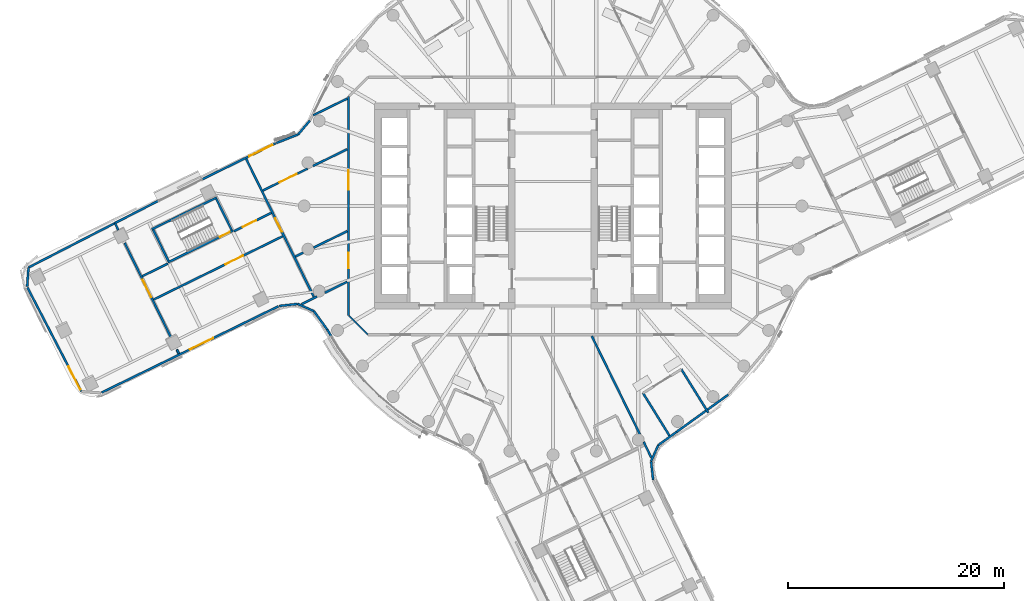
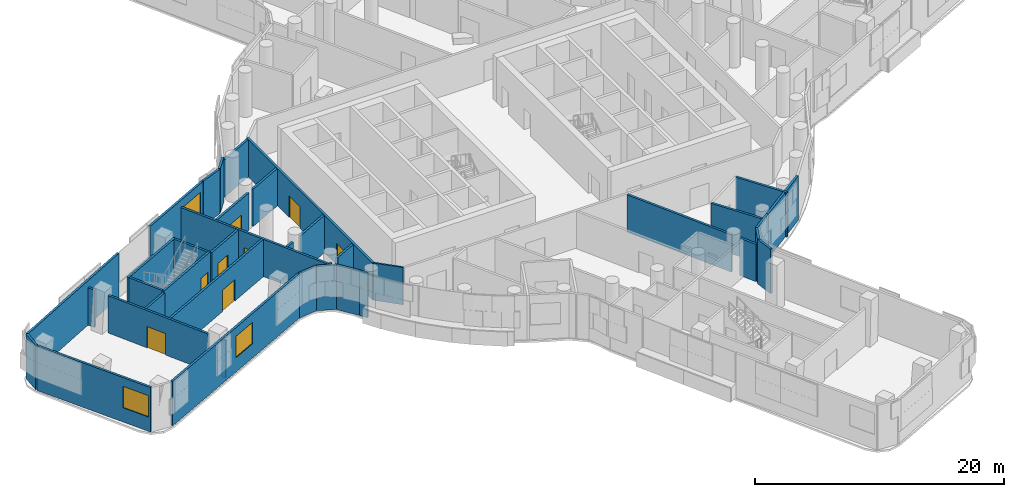
# One storey, part 11 of 23: 39 walls, 8 doors, 3 windows, 11 openings.
"""IFC4 building model written with IfcOpenShell, lengths in metres."""

import ifcopenshell
import ifcopenshell.guid

model = None  # the IFC model being written
_history = None  # IfcOwnerHistory: only IFC2X3 demands one
_inside = {}  # id of a spatial element -> (the spatial element, [elements in it])
_under = {}  # id of a project, library or spatial element -> (it, [spatial elements below it])
_declared = {}  # id of a project -> (the project, [libraries it declares])
_typed = {}  # id of a type object -> (the type object, [elements of that type])
_made_of = {}  # id of a material, layer set ... -> (it, [elements and type objects made of it])


def new_model(schema):
    """Start an empty IFC model of exactly this schema.

    Asked for "IFC4X3", IfcOpenShell would pick the latest addendum, in which some entities
    have other attributes; the version numbers below select the first issue.
    IFC2X3 requires an IfcOwnerHistory on every rooted entity: one is made here for all.
    """
    global model, _history
    if schema == "IFC4X3":
        model = ifcopenshell.file(schema_version=(4, 3, 0, 0))
    else:
        model = ifcopenshell.file(schema=schema)
    _inside.clear()
    _under.clear()
    _declared.clear()
    _typed.clear()
    _made_of.clear()
    _history = None
    if model.schema == "IFC2X3":
        org = make("IfcOrganization", Name="unknown")
        user = make(
            "IfcPersonAndOrganization",
            ThePerson=make("IfcPerson", FamilyName="unknown"),
            TheOrganization=org,
        )
        app = make(
            "IfcApplication",
            ApplicationDeveloper=org,
            Version="unknown",
            ApplicationFullName="unknown",
            ApplicationIdentifier="unknown",
        )
        _history = make(
            "IfcOwnerHistory",
            OwningUser=user,
            OwningApplication=app,
            ChangeAction="ADDED",
            CreationDate=0,
        )
    return model


def make(cls, **values):
    """One entity of the class cls with the attributes given. An attribute that is None is left unset."""
    return model.create_entity(
        cls, **{name: value for name, value in values.items() if value is not None}
    )


def rooted(cls, **values):
    """An entity with a GlobalId (a new one), such as an element, a storey or a relation."""
    return make(cls, GlobalId=ifcopenshell.guid.new(), OwnerHistory=_history, **values)


def si_unit(unit_type, name, prefix=None):
    """IfcSIUnit, for example si_unit("LENGTHUNIT", "METRE", prefix="MILLI")."""
    return make("IfcSIUnit", UnitType=unit_type, Prefix=prefix, Name=name)


def assignment(units):
    """IfcUnitAssignment: the units of a project."""
    return None if units is None else make("IfcUnitAssignment", Units=units)


def point(xyz):
    """IfcCartesianPoint."""
    return None if xyz is None else make("IfcCartesianPoint", Coordinates=xyz)


def direction(xyz):
    """IfcDirection."""
    return None if xyz is None else make("IfcDirection", DirectionRatios=xyz)


def frame(location, z_axis=None, x_axis=None):
    """IfcAxis2Placement3D, a coordinate frame: its origin and axes. An axis left out is left unset."""
    return make(
        "IfcAxis2Placement3D",
        Location=point(location),
        Axis=direction(z_axis),
        RefDirection=direction(x_axis),
    )


def frame_2d(location, x_axis=None):
    """IfcAxis2Placement2D, a coordinate frame in the plane: its origin and x axis."""
    return make(
        "IfcAxis2Placement2D", Location=point(location), RefDirection=direction(x_axis)
    )


def origin():
    """The frame at (0, 0, 0) with its axes left unset."""
    return frame((0.0, 0.0, 0.0))


def place(relative_to, where):
    """IfcLocalPlacement: puts the frame where relative to a parent placement (None: the world)."""
    return make(
        "IfcLocalPlacement", PlacementRelTo=relative_to, RelativePlacement=where
    )


def context(
    kind, dimensions, precision=None, world=None, true_north=None, identifier=None
):
    """IfcGeometricRepresentationContext, for example the 3D "Model" context."""
    return make(
        "IfcGeometricRepresentationContext",
        ContextIdentifier=identifier,
        ContextType=kind,
        CoordinateSpaceDimension=dimensions,
        Precision=precision,
        WorldCoordinateSystem=world,
        TrueNorth=true_north,
    )


def subcontext(parent, identifier, kind, view, scale=None):
    """IfcGeometricRepresentationSubContext, for example "Body" below "Model"."""
    return make(
        "IfcGeometricRepresentationSubContext",
        ContextIdentifier=identifier,
        ContextType=kind,
        ParentContext=parent,
        TargetScale=scale,
        TargetView=view,
    )


def project(units=None, contexts=None):
    """IfcProject with its units and contexts."""
    return rooted(
        "IfcProject",
        Name="project",
        RepresentationContexts=contexts,
        UnitsInContext=assignment(units),
    )


def spatial(cls, under=None, at=None, **own):
    """A site, building, storey or space (cls), placed at a placement, below another one or the project."""
    s = rooted(cls, ObjectPlacement=at, **own)
    if under is not None:
        _under.setdefault(under.id(), (under, []))[1].append(s)
    return s


def polyline(points):
    """IfcPolyline through the points."""
    return make("IfcPolyline", Points=[point(p) for p in points])


def profile(cls, at=None, kind="AREA", **sizes):
    """A parametric profile (cls). Its sizes go by their IFC names, for example OverallWidth=200.0."""
    return make(cls, ProfileType=kind, Position=at, **sizes)


def rectangle(**sizes):
    """IfcRectangleProfileDef."""
    return profile("IfcRectangleProfileDef", **sizes)


def outline(outer, holes=None, kind="AREA"):
    """IfcArbitraryClosedProfileDef: a profile drawn as a closed curve; with holes, ...WithVoids."""
    if holes is None:
        return make("IfcArbitraryClosedProfileDef", ProfileType=kind, OuterCurve=outer)
    return make(
        "IfcArbitraryProfileDefWithVoids",
        ProfileType=kind,
        OuterCurve=outer,
        InnerCurves=holes,
    )


def extrude(swept, where, along, depth):
    """IfcExtrudedAreaSolid: the profile swept, set in the frame where, extruded along a direction by depth."""
    return make(
        "IfcExtrudedAreaSolid",
        SweptArea=swept,
        Position=where,
        ExtrudedDirection=direction(along),
        Depth=depth,
    )


def shape(context_of_items, identifier, shape_type, items):
    """IfcShapeRepresentation: the items that make up one representation, for example the "Body"."""
    return make(
        "IfcShapeRepresentation",
        ContextOfItems=context_of_items,
        RepresentationIdentifier=identifier,
        RepresentationType=shape_type,
        Items=items,
    )


def material(Name=None, Category=None):
    """IfcMaterial."""
    return make("IfcMaterial", Name=Name, Category=Category)


def layer(
    of_material, thickness, ventilated=None, Name=None, Category=None, Priority=None
):
    """IfcMaterialLayer: one layer of a wall or slab, of a material (None: an air gap)."""
    return make(
        "IfcMaterialLayer",
        Material=of_material,
        LayerThickness=thickness,
        IsVentilated=ventilated,
        Name=Name,
        Category=Category,
        Priority=Priority,
    )


def layer_set(layers, Name=None):
    """IfcMaterialLayerSet."""
    return make("IfcMaterialLayerSet", MaterialLayers=layers, LayerSetName=Name)


def made_of(thing, what):
    """Note that an element or type object is made of a material, layer set ...; save() writes the relation."""
    if what is not None:
        _made_of.setdefault(what.id(), (what, []))[1].append(thing)
    return thing


def type_object(cls, material=None, **own):
    """A type object (cls), such as IfcWallType, which elements share."""
    return made_of(rooted(cls, **own), material)


def element(
    cls,
    number,
    at=None,
    inside=None,
    cuts=None,
    type_object=None,
    material=None,
    context=None,
    identifier="Body",
    shape_type=None,
    held_by="IfcProductDefinitionShape",
    body=None,
    shapes=None,
    **own,
):
    """One element of the class cls, such as IfcWall. Its Tag is "e" and its number.

    at: its placement. inside: the storey or other place that contains it. cuts: it is an
    opening in that element (IfcRelVoidsElement). A single representation is given by context,
    identifier, shape_type and body (its items); several are given by shapes. held_by: the class
    of the entity that holds the representations. save() writes the other relations.
    """
    e = rooted(cls, Tag="e%d" % number, ObjectPlacement=at, **own)
    if body is not None:
        shapes = [shape(context, identifier, shape_type, body)]
    if shapes is not None:
        e.Representation = make(held_by, Representations=shapes)
    if inside is not None:
        _inside.setdefault(inside.id(), (inside, []))[1].append(e)
    if cuts is not None:
        rooted(
            "IfcRelVoidsElement", RelatingBuildingElement=cuts, RelatedOpeningElement=e
        )
    if type_object is not None:
        _typed.setdefault(type_object.id(), (type_object, []))[1].append(e)
    return made_of(e, material)


def fill(opening, filler):
    """IfcRelFillsElement: the door or window that sits in an opening."""
    return rooted(
        "IfcRelFillsElement",
        RelatingOpeningElement=opening,
        RelatedBuildingElement=filler,
    )


def aggregate(whole, parts):
    """IfcRelAggregates: a whole, such as a stair, and the parts it consists of."""
    return rooted("IfcRelAggregates", RelatingObject=whole, RelatedObjects=parts)


def save(model, path):
    """Write the relations noted so far, then the file.

    IfcRelAggregates (storeys below a building ...), IfcRelContainedInSpatialStructure (elements
    in a storey), IfcRelDefinesByType, IfcRelAssociatesMaterial and IfcRelDeclares: one each for
    every whole, place, type object, material and project.
    """
    for whole, parts in _under.values():
        aggregate(whole, parts)
    for where, things in _inside.values():
        rooted(
            "IfcRelContainedInSpatialStructure",
            RelatedElements=things,
            RelatingStructure=where,
        )
    for kind, things in _typed.values():
        rooted("IfcRelDefinesByType", RelatedObjects=things, RelatingType=kind)
    for what, things in _made_of.values():
        rooted("IfcRelAssociatesMaterial", RelatedObjects=things, RelatingMaterial=what)
    for by, libraries in _declared.values():
        rooted("IfcRelDeclares", RelatingContext=by, RelatedDefinitions=libraries)
    model.write(path)


model = new_model("IFC4")

# Units and contexts
model_context = context("Model", 3, precision=1e-05, world=origin(), true_north=direction((0.0, 1.0)))
body_context = subcontext(model_context, "Body", "Model", "MODEL_VIEW")
ifc_project = project(units=[si_unit("LENGTHUNIT", "METRE"), si_unit("AREAUNIT", "SQUARE_METRE"), si_unit("VOLUMEUNIT", "CUBIC_METRE"), si_unit("PLANEANGLEUNIT", "RADIAN"), si_unit("MASSUNIT", "GRAM", prefix="KILO")], contexts=[model_context])

# Site, building, storey
site_placement = place(None, origin())
site = spatial("IfcSite", under=ifc_project, at=site_placement, CompositionType="ELEMENT")
building_placement = place(site_placement, origin())
building = spatial("IfcBuilding", under=site, at=building_placement, Name="Tamarind Cross Interchange Tower", CompositionType="ELEMENT")
storey_placement = place(building_placement, frame((0.0, 0.0, 128.5)))
storey = spatial("IfcBuildingStorey", under=building, at=storey_placement, Name="L31", CompositionType="ELEMENT", Elevation=128.5)

# Walls
ifc_material_1 = material(Name="Concrete C40", Category="concrete")
ifc_layer_1 = layer(ifc_material_1, 0.199951171875)
ifc_layer_set_1 = layer_set([ifc_layer_1], Name="Concrete C40")
wall_type_1 = type_object("IfcWallType", Name="Balcony and garden door wall", PredefinedType="SOLIDWALL", material=ifc_layer_set_1)
wall_1_placement = place(storey_placement, frame((8.310791015625, -17.294677734375, 0.0), z_axis=(0.0, 0.0, 1.0), x_axis=(0.527712449553, -0.84942308103, 0.0)))
element("IfcWall", 1, at=wall_1_placement, inside=storey, type_object=wall_type_1, Name="EXW-L31-WG-L31-SE-R0", PredefinedType="SOLIDWALL", context=body_context, shape_type="SweptSolid", body=[
    extrude(rectangle(XDim=4.745361328125, YDim=0.199951171875, at=frame_2d((2.37255859375, 0.0))), origin(), (0.0, 0.0, 1.0), 4.360107421875),
])
wall_2_placement = place(storey_placement, frame((11.85302734375, -15.09423828125, 0.0), z_axis=(0.0, 0.0, 1.0), x_axis=(0.527686600578, -0.849439139415, 0.0)))
element("IfcWall", 2, at=wall_2_placement, inside=storey, type_object=wall_type_1, Name="EXW-L31-WG-L31-SE-R1", PredefinedType="SOLIDWALL", context=body_context, shape_type="SweptSolid", body=[
    extrude(rectangle(XDim=4.711181640625, YDim=0.199951171875, at=frame_2d((2.35546875, 0.0))), origin(), (0.0, 0.0, 1.0), 4.360107421875),
])
ifc_material_2 = material(Name="Gypsum board partition on steel studs", Category="steel")
ifc_layer_2 = layer(ifc_material_2, 0.14990234375)
ifc_layer_set_2 = layer_set([ifc_layer_2], Name="Gypsum board partition on steel studs")
wall_type_2 = type_object("IfcWallType", Name="Partition 150 mm EI 120", PredefinedType="PARTITIONING", material=ifc_layer_set_2)
wall_3_placement = place(storey_placement, frame((-18.864501953125, -10.135498046875, 0.0), z_axis=(0.0, 0.0, 1.0), x_axis=(0.707106781187, -0.707106781187, 0.0)))
element("IfcWall", 3, at=wall_3_placement, inside=storey, type_object=wall_type_2, Name="Partition L31-032", PredefinedType="PARTITIONING", context=body_context, shape_type="SweptSolid", body=[
    extrude(rectangle(XDim=2.445068359375, YDim=0.14990234375, at=frame_2d((1.22265625, 0.0))), origin(), (0.0, 0.0, 1.0), 3.659912109375),
])
ifc_layer_3 = layer(ifc_material_2, 0.199951171875)
ifc_layer_set_3 = layer_set([ifc_layer_3], Name="Gypsum board partition on steel studs")
wall_type_3 = type_object("IfcWallType", Name="Partition 200 mm EI 180", PredefinedType="PARTITIONING", material=ifc_layer_set_3)
wall_4_placement = place(storey_placement, frame((-40.482666015625, -1.6015625, 0.0), z_axis=(0.0, 0.0, 1.0), x_axis=(0.440157217023, -0.897920722727, 0.0)))
element("IfcWall", 4, at=wall_4_placement, inside=storey, type_object=wall_type_3, Name="Partition L31-001", PredefinedType="PARTITIONING", context=body_context, shape_type="SweptSolid", body=[
    extrude(rectangle(XDim=0.707275390625, YDim=0.199951171875, at=frame_2d((0.353515625, 0.0))), origin(), (0.0, 0.0, 1.0), 3.659912109375),
])

# Wall, opening, door
wall_5_placement = place(storey_placement, frame((-39.59130859375, -3.41943359375, 0.0), z_axis=(0.0, 0.0, 1.0), x_axis=(0.440238676581, -0.897880786988, 0.0)))
wall_5 = element("IfcWall", 5, at=wall_5_placement, inside=storey, type_object=wall_type_3, Name="Partition L31-002", PredefinedType="PARTITIONING", context=body_context, shape_type="SweptSolid", body=[
    extrude(rectangle(XDim=9.66552734375, YDim=0.199951171875, at=frame_2d((4.832763671875, 0.0))), origin(), (0.0, 0.0, 1.0), 3.659912109375),
])
opening_1_placement = place(wall_5_placement, frame((3.7744140625, 0.0, 0.0)))
opening_1 = element("IfcOpeningElement", 6, at=opening_1_placement, cuts=wall_5, Name="Opening D01", PredefinedType="OPENING", context=body_context, shape_type="SweptSolid", body=[
    extrude(rectangle(XDim=1.800048828125, YDim=2.10009765625, at=frame_2d((0.89990234375, 1.050048828125))), frame((0.0, 0.10986328125, 0.0), z_axis=(0.0, -1.0, 0.0), x_axis=(1.0, 0.0, 0.0)), (0.0, 0.0, 1.0), 0.219970703125),
])
ifc_material_3 = material(Name="Fire-resisting door set")
door_type_1 = type_object("IfcDoorType", Name="Interior door 1800 x 2100 FD120S", OperationType="DOUBLE_DOOR_SINGLE_SWING", PredefinedType="DOOR", material=ifc_material_3)
door_1_placement = place(opening_1_placement, frame((1.800048828125, 0.0, 0.0), z_axis=(0.0, 0.0, 1.0), x_axis=(-1.0, 0.0, 0.0)))
door_1 = element("IfcDoor", 7, at=door_1_placement, inside=storey, type_object=door_type_1, Name="Door D01", OperationType="DOUBLE_DOOR_SINGLE_SWING", OverallHeight=2.10009765625, OverallWidth=1.800048828125, PredefinedType="DOOR", context=body_context, shape_type="SweptSolid", body=[
    extrude(rectangle(XDim=1.800048828125, YDim=2.10009765625, at=frame_2d((0.89990234375, 1.050048828125))), frame((0.0, 0.02490234375, 0.0), z_axis=(0.0, -1.0, 0.0), x_axis=(1.0, 0.0, 0.0)), (0.0, 0.0, 1.0), 0.050048828125),
])
fill(opening_1, door_1)

# Wall
wall_6_placement = place(storey_placement, frame((-34.7568359375, -13.279052734375, 0.0), z_axis=(0.0, 0.0, 1.0), x_axis=(0.440005579775, -0.897995038832, 0.0)))
element("IfcWall", 8, at=wall_6_placement, inside=storey, type_object=wall_type_3, Name="Partition L31-003", PredefinedType="PARTITIONING", context=body_context, shape_type="SweptSolid", body=[
    extrude(rectangle(XDim=0.4072265625, YDim=0.199951171875, at=frame_2d((0.20361328125, 0.0))), origin(), (0.0, 0.0, 1.0), 3.659912109375),
])

# Wall, opening, door
wall_7_placement = place(storey_placement, frame((-28.361328125, 4.341796875, 0.0), z_axis=(0.0, 0.0, 1.0), x_axis=(0.440288230416, -0.89785648862, 0.0)))
wall_7 = element("IfcWall", 9, at=wall_7_placement, inside=storey, type_object=wall_type_3, Name="Partition L31-004", PredefinedType="PARTITIONING", context=body_context, shape_type="SweptSolid", body=[
    extrude(rectangle(XDim=14.19921875, YDim=0.199951171875, at=frame_2d((7.099609375, 0.0))), origin(), (0.0, 0.0, 1.0), 3.659912109375),
])
opening_2_placement = place(wall_7_placement, frame((6.099609375, 0.0, 0.0)))
opening_2 = element("IfcOpeningElement", 10, at=opening_2_placement, cuts=wall_7, Name="Opening D02", PredefinedType="OPENING", context=body_context, shape_type="SweptSolid", body=[
    extrude(rectangle(XDim=1.39990234375, YDim=2.10009765625, at=frame_2d((0.699951171875, 1.050048828125))), frame((0.0, 0.10986328125, 0.0), z_axis=(0.0, -1.0, 0.0), x_axis=(1.0, 0.0, 0.0)), (0.0, 0.0, 1.0), 0.219970703125),
])
door_type_2 = type_object("IfcDoorType", Name="Interior door 1400 x 2100 FD120S", OperationType="DOUBLE_DOOR_SINGLE_SWING", PredefinedType="DOOR", material=ifc_material_3)
door_2_placement = place(opening_2_placement, origin())
door_2 = element("IfcDoor", 11, at=door_2_placement, inside=storey, type_object=door_type_2, Name="Door D02", OperationType="DOUBLE_DOOR_SINGLE_SWING", OverallHeight=2.10009765625, OverallWidth=1.39990234375, PredefinedType="DOOR", context=body_context, shape_type="SweptSolid", body=[
    extrude(rectangle(XDim=1.39990234375, YDim=2.10009765625, at=frame_2d((0.699951171875, 1.050048828125))), frame((0.0, 0.02490234375, 0.0), z_axis=(0.0, -1.0, 0.0), x_axis=(1.0, 0.0, 0.0)), (0.0, 0.0, 1.0), 0.050048828125),
])
fill(opening_2, door_2)

# Walls
wall_8_placement = place(storey_placement, frame((3.573486328125, -12.025634765625, 0.0), z_axis=(0.0, 0.0, 1.0), x_axis=(0.440287137064, -0.897857024774, 0.0)))
element("IfcWall", 12, at=wall_8_placement, inside=storey, type_object=wall_type_3, Name="Partition L31-023", PredefinedType="PARTITIONING", context=body_context, shape_type="SweptSolid", body=[
    extrude(rectangle(XDim=10.100341796875, YDim=0.199951171875, at=frame_2d((5.05029296875, 0.0))), origin(), (0.0, 0.0, 1.0), 3.659912109375),
])
wall_9_placement = place(storey_placement, frame((8.372802734375, -21.81298828125, 0.0), z_axis=(0.0, 0.0, 1.0), x_axis=(0.440361746676, -0.897820434199, 0.0)))
element("IfcWall", 13, at=wall_9_placement, inside=storey, type_object=wall_type_3, Name="Partition L31-024", PredefinedType="PARTITIONING", context=body_context, shape_type="SweptSolid", body=[
    extrude(rectangle(XDim=1.5849609375, YDim=0.199951171875, at=frame_2d((0.79248046875, 0.0))), origin(), (0.0, 0.0, 1.0), 3.659912109375),
])
wall_10_placement = place(storey_placement, frame((-37.97216796875, -6.4951171875, 0.0), z_axis=(0.0, 0.0, 1.0), x_axis=(0.897887294563, 0.440225403927, 0.0)))
element("IfcWall", 14, at=wall_10_placement, inside=storey, type_object=wall_type_3, Name="Partition L31-036", PredefinedType="PARTITIONING", context=body_context, shape_type="SweptSolid", body=[
    extrude(rectangle(XDim=2.660400390625, YDim=0.199951171875, at=frame_2d((1.330078125, 0.0))), origin(), (0.0, 0.0, 1.0), 3.659912109375),
])

# Wall, opening, door
wall_11_placement = place(storey_placement, frame((-29.495361328125, -2.339111328125, 0.0), z_axis=(0.0, 0.0, 1.0), x_axis=(0.897879053164, 0.440242212753, 0.0)))
wall_11 = element("IfcWall", 15, at=wall_11_placement, inside=storey, type_object=wall_type_3, Name="Partition L31-037", PredefinedType="PARTITIONING", context=body_context, shape_type="SweptSolid", body=[
    extrude(rectangle(XDim=3.859619140625, YDim=0.199951171875, at=frame_2d((1.9296875, 0.0))), origin(), (0.0, 0.0, 1.0), 3.659912109375),
])
opening_3_placement = place(wall_11_placement, frame((0.89990234375, 0.0, 0.0)))
opening_3 = element("IfcOpeningElement", 16, at=opening_3_placement, cuts=wall_11, Name="Opening D23", PredefinedType="OPENING", context=body_context, shape_type="SweptSolid", body=[
    extrude(rectangle(XDim=1.39990234375, YDim=2.10009765625, at=frame_2d((0.699951171875, 1.050048828125))), frame((0.0, 0.10986328125, 0.0), z_axis=(0.0, -1.0, 0.0), x_axis=(1.0, 0.0, 0.0)), (0.0, 0.0, 1.0), 0.219970703125),
])
door_3_placement = place(opening_3_placement, origin())
door_3 = element("IfcDoor", 17, at=door_3_placement, inside=storey, type_object=door_type_2, Name="Door D23", OperationType="DOUBLE_DOOR_SINGLE_SWING", OverallHeight=2.10009765625, OverallWidth=1.39990234375, PredefinedType="DOOR", context=body_context, shape_type="SweptSolid", body=[
    extrude(rectangle(XDim=1.39990234375, YDim=2.10009765625, at=frame_2d((0.699951171875, 1.050048828125))), frame((0.0, 0.02490234375, 0.0), z_axis=(0.0, -1.0, 0.0), x_axis=(1.0, 0.0, 0.0)), (0.0, 0.0, 1.0), 0.050048828125),
])
fill(opening_3, door_3)

wall_12_placement = place(storey_placement, frame((-36.915283203125, -8.64990234375, 0.0), z_axis=(0.0, 0.0, 1.0), x_axis=(0.897851576161, 0.440298247992, 0.0)))
wall_12 = element("IfcWall", 18, at=wall_12_placement, inside=storey, type_object=wall_type_3, Name="Partition L31-038", PredefinedType="PARTITIONING", context=body_context, shape_type="SweptSolid", body=[
    extrude(rectangle(XDim=13.300048828125, YDim=0.199951171875, at=frame_2d((6.64990234375, 0.0))), origin(), (0.0, 0.0, 1.0), 3.659912109375),
])
opening_4_placement = place(wall_12_placement, frame((7.39990234375, 0.0, 0.0)))
opening_4 = element("IfcOpeningElement", 19, at=opening_4_placement, cuts=wall_12, Name="Opening D24", PredefinedType="OPENING", context=body_context, shape_type="SweptSolid", body=[
    extrude(rectangle(XDim=1.800048828125, YDim=2.10009765625, at=frame_2d((0.89990234375, 1.050048828125))), frame((0.0, 0.10986328125, 0.0), z_axis=(0.0, -1.0, 0.0), x_axis=(1.0, 0.0, 0.0)), (0.0, 0.0, 1.0), 0.219970703125),
])
door_4_placement = place(opening_4_placement, frame((1.800048828125, 0.0, 0.0), z_axis=(0.0, 0.0, 1.0), x_axis=(-1.0, 0.0, 0.0)))
door_4 = element("IfcDoor", 20, at=door_4_placement, inside=storey, type_object=door_type_1, Name="Door D24", OperationType="DOUBLE_DOOR_SINGLE_SWING", OverallHeight=2.10009765625, OverallWidth=1.800048828125, PredefinedType="DOOR", context=body_context, shape_type="SweptSolid", body=[
    extrude(rectangle(XDim=1.800048828125, YDim=2.10009765625, at=frame_2d((0.89990234375, 1.050048828125))), frame((0.0, 0.02490234375, 0.0), z_axis=(0.0, -1.0, 0.0), x_axis=(1.0, 0.0, 0.0)), (0.0, 0.0, 1.0), 0.050048828125),
])
fill(opening_4, door_4)

wall_13_placement = place(storey_placement, frame((-26.819091796875, 1.424072265625, 0.0), z_axis=(0.0, 0.0, 1.0), x_axis=(0.897866336824, 0.440268146926, 0.0)))
wall_13 = element("IfcWall", 21, at=wall_13_placement, inside=storey, type_object=wall_type_3, Name="Partition L31-039", PredefinedType="PARTITIONING", context=body_context, shape_type="SweptSolid", body=[
    extrude(rectangle(XDim=4.592529296875, YDim=0.199951171875, at=frame_2d((2.29638671875, 0.0))), origin(), (0.0, 0.0, 1.0), 3.659912109375),
])
opening_5_placement = place(wall_13_placement, frame((1.699951171875, 0.0, 0.0)))
opening_5 = element("IfcOpeningElement", 22, at=opening_5_placement, cuts=wall_13, Name="Opening D25", PredefinedType="OPENING", context=body_context, shape_type="SweptSolid", body=[
    extrude(rectangle(XDim=1.800048828125, YDim=2.10009765625, at=frame_2d((0.89990234375, 1.050048828125))), frame((0.0, 0.10986328125, 0.0), z_axis=(0.0, -1.0, 0.0), x_axis=(1.0, 0.0, 0.0)), (0.0, 0.0, 1.0), 0.219970703125),
])
door_5_placement = place(opening_5_placement, origin())
door_5 = element("IfcDoor", 23, at=door_5_placement, inside=storey, type_object=door_type_1, Name="Door D25", OperationType="DOUBLE_DOOR_SINGLE_SWING", OverallHeight=2.10009765625, OverallWidth=1.800048828125, PredefinedType="DOOR", context=body_context, shape_type="SweptSolid", body=[
    extrude(rectangle(XDim=1.800048828125, YDim=2.10009765625, at=frame_2d((0.89990234375, 1.050048828125))), frame((0.0, 0.02490234375, 0.0), z_axis=(0.0, -1.0, 0.0), x_axis=(1.0, 0.0, 0.0)), (0.0, 0.0, 1.0), 0.050048828125),
])
fill(opening_5, door_5)

# Walls
wall_14_placement = place(storey_placement, frame((-22.181396484375, 3.697998046875, 0.0), z_axis=(0.0, 0.0, 1.0), x_axis=(0.897873346888, 0.440253850578, 0.0)))
element("IfcWall", 24, at=wall_14_placement, inside=storey, type_object=wall_type_3, Name="Partition L31-040", PredefinedType="PARTITIONING", context=body_context, shape_type="SweptSolid", body=[
    extrude(rectangle(XDim=3.5146484375, YDim=0.199951171875, at=frame_2d((1.75732421875, 0.0))), origin(), (0.0, 0.0, 1.0), 3.659912109375),
])
wall_15_placement = place(storey_placement, frame((-23.8251953125, -4.681884765625, 0.0), z_axis=(0.0, 0.0, 1.0), x_axis=(0.897911496946, 0.440176037117, 0.0)))
element("IfcWall", 25, at=wall_15_placement, inside=storey, type_object=wall_type_3, Name="Partition L31-041", PredefinedType="PARTITIONING", context=body_context, shape_type="SweptSolid", body=[
    extrude(rectangle(XDim=0.8203125, YDim=0.199951171875, at=frame_2d((0.41015625, 0.0))), origin(), (0.0, 0.0, 1.0), 3.659912109375),
])
wall_16_placement = place(storey_placement, frame((-22.129150390625, -3.850341796875, 0.0), z_axis=(0.0, 0.0, 1.0), x_axis=(0.89787528657, 0.440249894681, 0.0)))
element("IfcWall", 26, at=wall_16_placement, inside=storey, type_object=wall_type_3, Name="Partition L31-042", PredefinedType="PARTITIONING", context=body_context, shape_type="SweptSolid", body=[
    extrude(rectangle(XDim=3.45654296875, YDim=0.199951171875, at=frame_2d((1.728271484375, 0.0))), origin(), (0.0, 0.0, 1.0), 3.659912109375),
])
wall_17_placement = place(storey_placement, frame((-23.236083984375, -9.070556640625, 0.0), z_axis=(0.0, 0.0, 1.0), x_axis=(0.897851466588, 0.440298471432, 0.0)))
element("IfcWall", 27, at=wall_17_placement, inside=storey, type_object=wall_type_3, Name="Partition L31-043", PredefinedType="PARTITIONING", context=body_context, shape_type="SweptSolid", body=[
    extrude(rectangle(XDim=1.584716796875, YDim=0.199951171875, at=frame_2d((0.79248046875, 0.0))), origin(), (0.0, 0.0, 1.0), 3.659912109375),
])
wall_18_placement = place(storey_placement, frame((-21.093994140625, -8.02001953125, 0.0), z_axis=(0.0, 0.0, 1.0), x_axis=(0.897834472142, 0.440333124616, 0.0)))
element("IfcWall", 28, at=wall_18_placement, inside=storey, type_object=wall_type_3, Name="Partition L31-044", PredefinedType="PARTITIONING", context=body_context, shape_type="SweptSolid", body=[
    extrude(rectangle(XDim=2.3037109375, YDim=0.199951171875, at=frame_2d((1.15185546875, 0.0))), origin(), (0.0, 0.0, 1.0), 3.659912109375),
])
wall_19_placement = place(storey_placement, frame((-22.169921875, 8.381591796875, 0.0), z_axis=(0.0, 0.0, 1.0), x_axis=(0.897982311867, 0.44003155293, 0.0)))
element("IfcWall", 29, at=wall_19_placement, inside=storey, type_object=wall_type_3, Name="Partition L31-045", PredefinedType="PARTITIONING", context=body_context, shape_type="SweptSolid", body=[
    extrude(rectangle(XDim=3.50146484375, YDim=0.199951171875, at=frame_2d((1.750732421875, 0.0))), origin(), (0.0, 0.0, 1.0), 3.659912109375),
])

# Wall, openings, doors
wall_20_placement = place(storey_placement, frame((-18.89990234375, -10.10009765625, 0.0), z_axis=(0.0, 0.0, 1.0), x_axis=(0.0, 1.0, 0.0)))
wall_20 = element("IfcWall", 30, at=wall_20_placement, inside=storey, type_object=wall_type_3, Name="Partition L31-072", PredefinedType="PARTITIONING", context=body_context, shape_type="SweptSolid", body=[
    extrude(rectangle(XDim=20.2001953125, YDim=0.199951171875, at=frame_2d((10.10009765625, 0.0))), origin(), (0.0, 0.0, 1.0), 3.659912109375),
])
opening_6_placement = place(wall_20_placement, frame((11.5830078125, 0.0, 0.0)))
opening_6 = element("IfcOpeningElement", 31, at=opening_6_placement, cuts=wall_20, Name="Opening D33", PredefinedType="OPENING", context=body_context, shape_type="SweptSolid", body=[
    extrude(rectangle(XDim=1.800048828125, YDim=2.10009765625, at=frame_2d((0.89990234375, 1.050048828125))), frame((0.0, 0.10986328125, 0.0), z_axis=(0.0, -1.0, 0.0), x_axis=(1.0, 0.0, 0.0)), (0.0, 0.0, 1.0), 0.219970703125),
])
opening_7_placement = place(wall_20_placement, frame((4.35595703125, 0.0, 0.0)))
opening_7 = element("IfcOpeningElement", 32, at=opening_7_placement, cuts=wall_20, Name="Opening D34", PredefinedType="OPENING", context=body_context, shape_type="SweptSolid", body=[
    extrude(rectangle(XDim=1.39990234375, YDim=2.10009765625, at=frame_2d((0.699951171875, 1.050048828125))), frame((0.0, 0.10986328125, 0.0), z_axis=(0.0, -1.0, 0.0), x_axis=(1.0, 0.0, 0.0)), (0.0, 0.0, 1.0), 0.219970703125),
])
door_6_placement = place(opening_7_placement, origin())
door_6 = element("IfcDoor", 33, at=door_6_placement, inside=storey, type_object=door_type_2, Name="Door D34", OperationType="DOUBLE_DOOR_SINGLE_SWING", OverallHeight=2.10009765625, OverallWidth=1.39990234375, PredefinedType="DOOR", context=body_context, shape_type="SweptSolid", body=[
    extrude(rectangle(XDim=1.39990234375, YDim=2.10009765625, at=frame_2d((0.699951171875, 1.050048828125))), frame((0.0, 0.02490234375, 0.0), z_axis=(0.0, -1.0, 0.0), x_axis=(1.0, 0.0, 0.0)), (0.0, 0.0, 1.0), 0.050048828125),
])
fill(opening_7, door_6)
door_7_placement = place(opening_6_placement, frame((1.800048828125, 0.0, 0.0), z_axis=(0.0, 0.0, 1.0), x_axis=(-1.0, 0.0, 0.0)))
door_7 = element("IfcDoor", 34, at=door_7_placement, inside=storey, type_object=door_type_1, Name="Door D33", OperationType="DOUBLE_DOOR_SINGLE_SWING", OverallHeight=2.10009765625, OverallWidth=1.800048828125, PredefinedType="DOOR", context=body_context, shape_type="SweptSolid", body=[
    extrude(rectangle(XDim=1.800048828125, YDim=2.10009765625, at=frame_2d((0.89990234375, 1.050048828125))), frame((0.0, 0.02490234375, 0.0), z_axis=(0.0, -1.0, 0.0), x_axis=(1.0, 0.0, 0.0)), (0.0, 0.0, 1.0), 0.050048828125),
])
fill(opening_6, door_7)

# Wall, opening, window
ifc_material_4 = material(Name="Precast concrete C40", Category="concrete")
ifc_layer_4 = layer(ifc_material_4, 0.199951171875)
ifc_layer_set_4 = layer_set([ifc_layer_4], Name="Precast concrete C40")
wall_type_4 = type_object("IfcWallType", Name="Refuge level external wall", PredefinedType="SOLIDWALL", material=ifc_layer_set_4)
wall_21_placement = place(storey_placement, frame((-48.57666015625, -7.536376953125, 0.0), z_axis=(0.0, 0.0, 1.0), x_axis=(0.460621707825, -0.887596553779, 0.0)))
wall_21 = element("IfcWall", 35, at=wall_21_placement, inside=storey, type_object=wall_type_4, Name="RFW-L31-00-00", PredefinedType="SOLIDWALL", context=body_context, shape_type="SweptSolid", body=[
    extrude(rectangle(XDim=10.833251953125, YDim=0.199951171875, at=frame_2d((5.41650390625, 0.0))), origin(), (0.0, 0.0, 1.0), 4.360107421875),
])
opening_8_placement = place(wall_21_placement, frame((8.23291015625, 0.0, 1.39990234375)))
opening_8 = element("IfcOpeningElement", 36, at=opening_8_placement, cuts=wall_21, Name="Opening W3", PredefinedType="OPENING", context=body_context, shape_type="SweptSolid", body=[
    extrude(rectangle(XDim=2.39990234375, YDim=2.10009765625, at=frame_2d((1.199951171875, 1.050048828125))), frame((0.0, 0.10986328125, 0.0), z_axis=(0.0, -1.0, 0.0), x_axis=(1.0, 0.0, 0.0)), (0.0, 0.0, 1.0), 0.219970703125),
])
ifc_material_5 = material(Name="Aluminium and fire-resisting glass", Category="aluminium")
window_type = type_object("IfcWindowType", Name="Refuge rescue window", PartitioningType="DOUBLE_PANEL_VERTICAL", PredefinedType="WINDOW", material=ifc_material_5)
window_1_placement = place(opening_8_placement, origin())
window_1 = element("IfcWindow", 37, at=window_1_placement, inside=storey, type_object=window_type, Name="RSW-L31-00-02", OverallHeight=2.10009765625, OverallWidth=2.39990234375, PartitioningType="SINGLE_PANEL", PredefinedType="WINDOW", context=body_context, shape_type="SweptSolid", body=[
    extrude(rectangle(XDim=2.39990234375, YDim=2.10009765625, at=frame_2d((1.199951171875, 1.050048828125))), frame((0.0, 0.030029296875, 0.0), z_axis=(0.0, -1.0, 0.0), x_axis=(1.0, 0.0, 0.0)), (0.0, 0.0, 1.0), 0.06005859375),
])
fill(opening_8, window_1)

wall_22_placement = place(storey_placement, frame((-41.735107421875, -17.250244140625, 0.0), z_axis=(0.0, 0.0, 1.0), x_axis=(0.898694176935, 0.43857585016, 0.0)))
wall_22 = element("IfcWall", 38, at=wall_22_placement, inside=storey, type_object=wall_type_4, Name="RFW-L31-01-00", PredefinedType="SOLIDWALL", context=body_context, shape_type="SweptSolid", body=[
    extrude(rectangle(XDim=18.20068359375, YDim=0.199951171875, at=frame_2d((9.100341796875, 0.0))), origin(), (0.0, 0.0, 1.0), 4.360107421875),
])
opening_9_placement = place(wall_22_placement, frame((9.090576171875, 0.0, 1.39990234375)))
opening_9 = element("IfcOpeningElement", 39, at=opening_9_placement, cuts=wall_22, Name="Opening W3", PredefinedType="OPENING", context=body_context, shape_type="SweptSolid", body=[
    extrude(rectangle(XDim=2.39990234375, YDim=2.10009765625, at=frame_2d((1.199951171875, 1.050048828125))), frame((0.0, 0.10986328125, 0.0), z_axis=(0.0, -1.0, 0.0), x_axis=(1.0, 0.0, 0.0)), (0.0, 0.0, 1.0), 0.219970703125),
])
window_2_placement = place(opening_9_placement, origin())
window_2 = element("IfcWindow", 40, at=window_2_placement, inside=storey, type_object=window_type, Name="RSW-L31-01-02", OverallHeight=2.10009765625, OverallWidth=2.39990234375, PartitioningType="SINGLE_PANEL", PredefinedType="WINDOW", context=body_context, shape_type="SweptSolid", body=[
    extrude(rectangle(XDim=2.39990234375, YDim=2.10009765625, at=frame_2d((1.199951171875, 1.050048828125))), frame((0.0, 0.030029296875, 0.0), z_axis=(0.0, -1.0, 0.0), x_axis=(1.0, 0.0, 0.0)), (0.0, 0.0, 1.0), 0.06005859375),
])
fill(opening_9, window_2)

# Walls
wall_23_placement = place(storey_placement, frame((-25.31298828125, -9.244384765625, 0.0), z_axis=(0.0, 0.0, 1.0), x_axis=(0.993989934895, 0.109471500068, 0.0)))
element("IfcWall", 41, at=wall_23_placement, inside=storey, type_object=wall_type_4, Name="RFW-L31-02-00", PredefinedType="SOLIDWALL", context=body_context, shape_type="SweptSolid", body=[
    extrude(rectangle(XDim=1.730712890625, YDim=0.199951171875, at=frame_2d((0.865234375, 0.0))), origin(), (0.0, 0.0, 1.0), 4.360107421875),
])
wall_24_placement = place(storey_placement, frame((-23.5927734375, -9.054931640625, 0.0), z_axis=(0.0, 0.0, 1.0), x_axis=(0.913174690869, -0.407568379485, 0.0)))
element("IfcWall", 42, at=wall_24_placement, inside=storey, type_object=wall_type_4, Name="RFW-L31-02-01", PredefinedType="SOLIDWALL", context=body_context, shape_type="SweptSolid", body=[
    extrude(rectangle(XDim=1.631103515625, YDim=0.199951171875, at=frame_2d((0.8154296875, 0.0))), origin(), (0.0, 0.0, 1.0), 4.360107421875),
])
wall_25_placement = place(storey_placement, frame((-22.103271484375, -9.7197265625, 0.0), z_axis=(0.0, 0.0, 1.0), x_axis=(0.585383960687, -0.810756201685, 0.0)))
element("IfcWall", 43, at=wall_25_placement, inside=storey, type_object=wall_type_4, Name="RFW-L31-02-02", PredefinedType="SOLIDWALL", context=body_context, shape_type="SweptSolid", body=[
    extrude(rectangle(XDim=2.0908203125, YDim=0.199951171875, at=frame_2d((1.04541015625, 0.0))), origin(), (0.0, 0.0, 1.0), 4.360107421875),
])
wall_26_placement = place(storey_placement, frame((-20.87939453125, -11.414794921875, 0.0), z_axis=(0.0, 0.0, 1.0), x_axis=(0.515806457806, -0.856705140691, 0.0)))
element("IfcWall", 44, at=wall_26_placement, inside=storey, type_object=wall_type_4, Name="RFW-L31-02-03", PredefinedType="SOLIDWALL", context=body_context, shape_type="SweptSolid", body=[
    extrude(rectangle(XDim=0.7119140625, YDim=0.199951171875, at=frame_2d((0.35595703125, 0.0))), origin(), (0.0, 0.0, 1.0), 4.360107421875),
])
wall_27_placement = place(storey_placement, frame((9.244384765625, -25.31298828125, 0.0), z_axis=(0.0, 0.0, 1.0), x_axis=(-0.109471500068, 0.993989934895, 0.0)))
element("IfcWall", 45, at=wall_27_placement, inside=storey, type_object=wall_type_4, Name="RFW-L31-06-00", PredefinedType="SOLIDWALL", context=body_context, shape_type="SweptSolid", body=[
    extrude(rectangle(XDim=1.730712890625, YDim=0.199951171875, at=frame_2d((0.865234375, 0.0))), origin(), (0.0, 0.0, 1.0), 4.360107421875),
])
wall_28_placement = place(storey_placement, frame((9.054931640625, -23.5927734375, 0.0), z_axis=(0.0, 0.0, 1.0), x_axis=(0.407568379485, 0.913174690869, 0.0)))
element("IfcWall", 46, at=wall_28_placement, inside=storey, type_object=wall_type_4, Name="RFW-L31-06-01", PredefinedType="SOLIDWALL", context=body_context, shape_type="SweptSolid", body=[
    extrude(rectangle(XDim=1.631103515625, YDim=0.199951171875, at=frame_2d((0.8154296875, 0.0))), origin(), (0.0, 0.0, 1.0), 4.360107421875),
])
wall_29_placement = place(storey_placement, frame((9.7197265625, -22.103271484375, 0.0), z_axis=(0.0, 0.0, 1.0), x_axis=(0.810756201685, 0.585383960687, 0.0)))
element("IfcWall", 47, at=wall_29_placement, inside=storey, type_object=wall_type_4, Name="RFW-L31-06-02", PredefinedType="SOLIDWALL", context=body_context, shape_type="SweptSolid", body=[
    extrude(rectangle(XDim=2.0908203125, YDim=0.199951171875, at=frame_2d((1.04541015625, 0.0))), origin(), (0.0, 0.0, 1.0), 4.360107421875),
])
wall_30_placement = place(storey_placement, frame((11.414794921875, -20.87939453125, 0.0), z_axis=(0.0, 0.0, 1.0), x_axis=(0.811328226988, 0.584590889506, 0.0)))
element("IfcWall", 48, at=wall_30_placement, inside=storey, type_object=wall_type_4, Name="RFW-L31-06-03", PredefinedType="SOLIDWALL", context=body_context, shape_type="SweptSolid", body=[
    extrude(rectangle(XDim=5.8876953125, YDim=0.199951171875, at=frame_2d((2.94384765625, 0.0))), origin(), (0.0, 0.0, 1.0), 4.360107421875),
])
wall_31_placement = place(storey_placement, frame((-22.484130859375, 7.88232421875, 0.0), z_axis=(0.0, 0.0, 1.0), x_axis=(-0.643982284825, -0.765040402091, 0.0)))
element("IfcWall", 49, at=wall_31_placement, inside=storey, type_object=wall_type_4, Name="RFW-L31-14-06", PredefinedType="SOLIDWALL", context=body_context, shape_type="SweptSolid", body=[
    extrude(rectangle(XDim=1.665771484375, YDim=0.199951171875, at=frame_2d((0.8330078125, 0.0))), origin(), (0.0, 0.0, 1.0), 4.360107421875),
])
wall_32_placement = place(storey_placement, frame((-23.556884765625, 6.60791015625, 0.0), z_axis=(0.0, 0.0, 1.0), x_axis=(-0.931034194342, -0.364931951145, 0.0)))
element("IfcWall", 50, at=wall_32_placement, inside=storey, type_object=wall_type_4, Name="RFW-L31-14-07", PredefinedType="SOLIDWALL", context=body_context, shape_type="SweptSolid", body=[
    extrude(rectangle(XDim=2.16015625, YDim=0.199951171875, at=frame_2d((1.080078125, 0.0))), origin(), (0.0, 0.0, 1.0), 4.360107421875),
])

# Wall, opening, window
wall_33_placement = place(storey_placement, frame((-25.63232421875, 5.79248046875, 0.0), z_axis=(0.0, 0.0, 1.0), x_axis=(-0.897873352821, -0.440253838477, 0.0)))
wall_33 = element("IfcWall", 51, at=wall_33_placement, inside=storey, type_object=wall_type_4, Name="RFW-L31-15-00", PredefinedType="SOLIDWALL", context=body_context, shape_type="SweptSolid", body=[
    extrude(rectangle(XDim=7.549560546875, YDim=0.199951171875, at=frame_2d((3.77490234375, 0.0))), origin(), (0.0, 0.0, 1.0), 4.360107421875),
])
opening_10_placement = place(wall_33_placement, frame((0.328369140625, 0.0, 1.39990234375)))
opening_10 = element("IfcOpeningElement", 52, at=opening_10_placement, cuts=wall_33, Name="Opening W3", PredefinedType="OPENING", context=body_context, shape_type="SweptSolid", body=[
    extrude(rectangle(XDim=2.39990234375, YDim=2.10009765625, at=frame_2d((1.199951171875, 1.050048828125))), frame((0.0, 0.10986328125, 0.0), z_axis=(0.0, -1.0, 0.0), x_axis=(1.0, 0.0, 0.0)), (0.0, 0.0, 1.0), 0.219970703125),
])
window_3_placement = place(opening_10_placement, origin())
window_3 = element("IfcWindow", 53, at=window_3_placement, inside=storey, type_object=window_type, Name="RSW-L31-15-00", OverallHeight=2.10009765625, OverallWidth=2.39990234375, PartitioningType="SINGLE_PANEL", PredefinedType="WINDOW", context=body_context, shape_type="SweptSolid", body=[
    extrude(rectangle(XDim=2.39990234375, YDim=2.10009765625, at=frame_2d((1.199951171875, 1.050048828125))), frame((0.0, 0.030029296875, 0.0), z_axis=(0.0, -1.0, 0.0), x_axis=(1.0, 0.0, 0.0)), (0.0, 0.0, 1.0), 0.06005859375),
])
fill(opening_10, window_3)

# Walls
wall_34_placement = place(storey_placement, frame((-36.516845703125, 0.455322265625, 0.0), z_axis=(0.0, 0.0, 1.0), x_axis=(-0.889626637649, -0.456688565202, 0.0)))
element("IfcWall", 54, at=wall_34_placement, inside=storey, type_object=wall_type_4, Name="RFW-L31-15-10", PredefinedType="SOLIDWALL", context=body_context, shape_type="SweptSolid", body=[
    extrude(rectangle(XDim=13.445556640625, YDim=0.199951171875, at=frame_2d((6.72265625, 0.0))), origin(), (0.0, 0.0, 1.0), 4.360107421875),
])
wall_35_placement = place(storey_placement, frame((-48.478271484375, -5.68505859375, 0.0), z_axis=(0.0, 0.0, 1.0), x_axis=(-0.069512589978, -0.997581074317, 0.0)))
element("IfcWall", 55, at=wall_35_placement, inside=storey, type_object=wall_type_4, Name="RFW-L31-15-11", PredefinedType="SOLIDWALL", context=body_context, shape_type="SweptSolid", body=[
    extrude(rectangle(XDim=1.78076171875, YDim=0.199951171875, at=frame_2d((0.890380859375, 0.0))), origin(), (0.0, 0.0, 1.0), 4.360107421875),
])

# Wall, opening, door
ifc_layer_5 = layer(ifc_material_1, 0.199951171875)
ifc_layer_set_5 = layer_set([ifc_layer_5], Name="Concrete C40")
wall_type_5 = type_object("IfcWallType", Name="Stair shaft wall 200 mm Concrete C40", PredefinedType="SHEAR", material=ifc_layer_set_5)
wall_36_placement = place(storey_placement, frame((-29.57568359375, -2.2666015625, -0.179931640625), z_axis=(0.0, 0.0, 1.0), x_axis=(-0.897876384519, -0.440247655443, 0.0)))
wall_36 = element("IfcWall", 56, at=wall_36_placement, inside=storey, type_object=wall_type_5, Name="Core wall CWL-L31-ST5-H", PredefinedType="SHEAR", context=body_context, shape_type="SweptSolid", body=[
    extrude(rectangle(XDim=6.7001953125, YDim=0.199951171875, at=frame_2d((3.35009765625, 0.0))), origin(), (0.0, 0.0, 1.0), 3.93994140625),
])
opening_11_placement = place(wall_36_placement, frame((0.35009765625, 0.0, 0.0)))
opening_11 = element("IfcOpeningElement", 57, at=opening_11_placement, cuts=wall_36, Name="Opening ST5L31", PredefinedType="OPENING", context=body_context, shape_type="SweptSolid", body=[
    extrude(rectangle(XDim=1.0, YDim=2.10009765625, at=frame_2d((0.5, 1.050048828125))), frame((0.0, 0.10986328125, 0.0), z_axis=(0.0, -1.0, 0.0), x_axis=(1.0, 0.0, 0.0)), (0.0, 0.0, 1.0), 0.219970703125),
])
ifc_material_6 = material(Name="Steel, fire-resisting", Category="steel")
door_type_3 = type_object("IfcDoorType", Name="Core fire door 1000 x 2100 FD90", OperationType="SINGLE_SWING_LEFT", PredefinedType="DOOR", material=ifc_material_6)
door_8_placement = place(opening_11_placement, origin())
door_8 = element("IfcDoor", 58, at=door_8_placement, inside=storey, type_object=door_type_3, Name="L31 stair door ST5", OperationType="SINGLE_SWING_LEFT", OverallHeight=2.10009765625, OverallWidth=1.0, PredefinedType="DOOR", context=body_context, shape_type="SweptSolid", body=[
    extrude(rectangle(XDim=1.0, YDim=2.10009765625, at=frame_2d((0.5, 1.050048828125))), frame((0.0, 0.02490234375, 0.0), z_axis=(0.0, -1.0, 0.0), x_axis=(1.0, 0.0, 0.0)), (0.0, 0.0, 1.0), 0.050048828125),
])
fill(opening_11, door_8)

# Walls
wall_37_placement = place(storey_placement, frame((-31.072509765625, 0.785888671875, -0.179931640625), z_axis=(0.0, 0.0, 1.0), x_axis=(-0.897876384519, -0.440247655443, 0.0)))
element("IfcWall", 59, at=wall_37_placement, inside=storey, type_object=wall_type_5, Name="Core wall CWL-L31-ST5-C", PredefinedType="SHEAR", context=body_context, shape_type="SweptSolid", body=[
    extrude(rectangle(XDim=6.7001953125, YDim=0.199951171875, at=frame_2d((3.35009765625, 0.0))), origin(), (0.0, 0.0, 1.0), 3.93994140625),
])
wall_38_placement = place(storey_placement, frame((-31.118408203125, 0.652099609375, -0.179931640625), z_axis=(0.0, 0.0, 1.0), x_axis=(0.440241649428, -0.89787932937, 0.0)))
element("IfcWall", 60, at=wall_38_placement, inside=storey, type_object=wall_type_5, Name="Core wall CWL-L31-ST5-CE", PredefinedType="SHEAR", context=body_context, shape_type="SweptSolid", body=[
    extrude(rectangle(XDim=3.19970703125, YDim=0.199951171875, at=frame_2d((1.599853515625, 0.0))), origin(), (0.0, 0.0, 1.0), 3.93994140625),
])
wall_39_placement = place(storey_placement, frame((0.0, 0.0, -0.179931640625)))
element("IfcWall", 61, at=wall_39_placement, inside=storey, type_object=wall_type_5, Name="Core wall CWL-L31-ST5-CF", PredefinedType="SHEAR", context=body_context, shape_type="SweptSolid", body=[
    extrude(outline(polyline([(-36.86474609375, -2.165283203125), (-37.044189453125, -2.25341796875), (-35.635498046875, -5.126708984375), (-35.4560546875, -5.03857421875), (-36.86474609375, -2.165283203125)])), origin(), (0.0, 0.0, 1.0), 3.93994140625),
])

save(model, "model.ifc")
